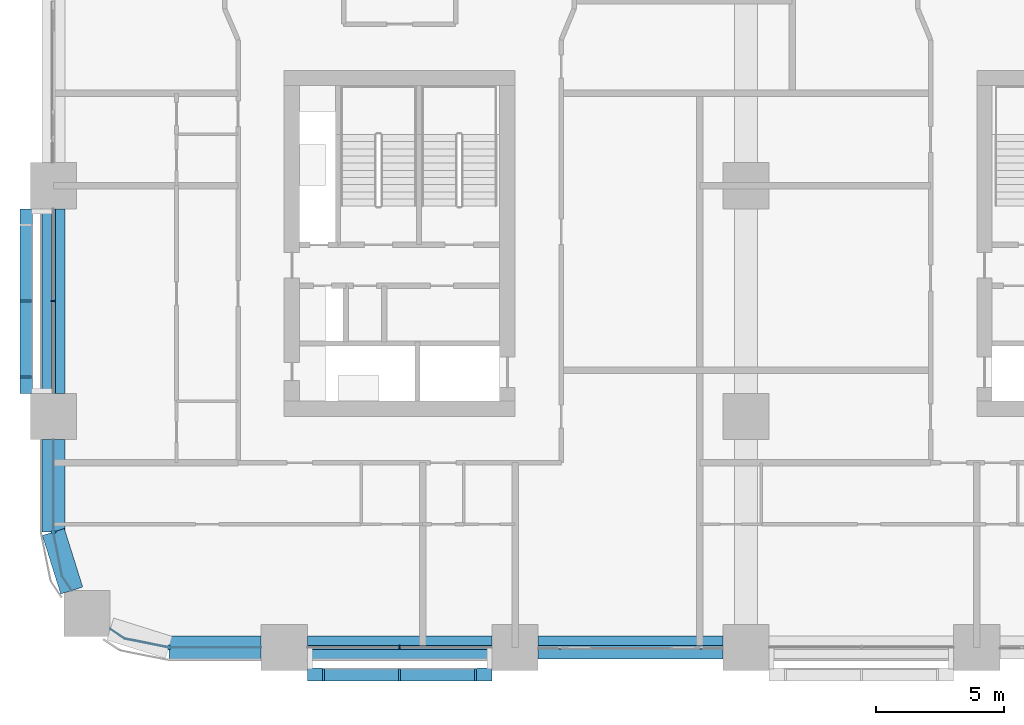
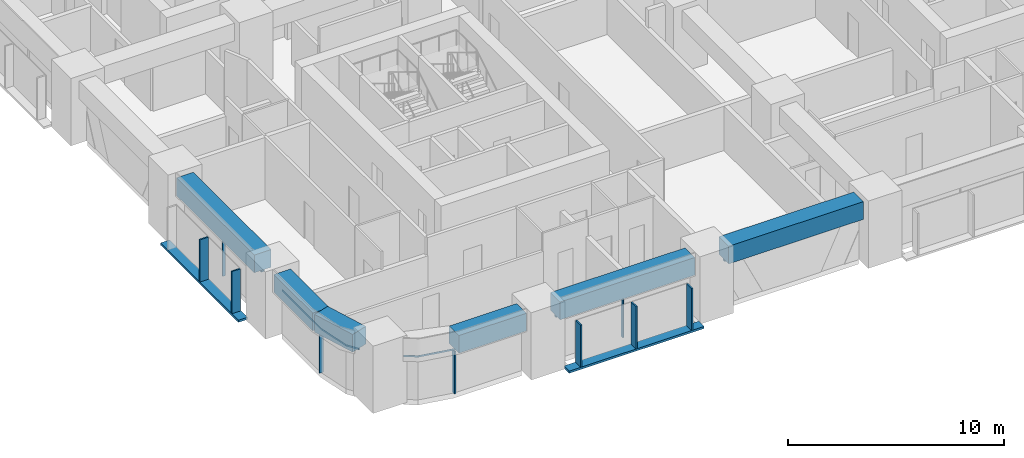
# One storey, part 2 of 23: 14 members, 8 beams, 5 elements without a shape of their own.
"""IFC4 building model written with IfcOpenShell, lengths in metres."""

from ifc_helpers import new_model, si_unit, direction, frame, origin, origin_2d, place, context, subcontext, project, spatial, polyline, rectangle, outline, extrude, material, material_profile, profile_set, type_object, element, aggregate, save


model = new_model("IFC4")

# Units and contexts
model_context = context("Model", 3, precision=1e-05, world=origin(), true_north=direction((0.0, 1.0)))
body_context = subcontext(model_context, "Body", "Model", "MODEL_VIEW")
ifc_project = project(units=[si_unit("LENGTHUNIT", "METRE"), si_unit("AREAUNIT", "SQUARE_METRE"), si_unit("VOLUMEUNIT", "CUBIC_METRE"), si_unit("PLANEANGLEUNIT", "RADIAN"), si_unit("MASSUNIT", "GRAM", prefix="KILO")], contexts=[model_context])

# Site, building, storey
site_placement = place(None, origin())
site = spatial("IfcSite", under=ifc_project, at=site_placement, CompositionType="ELEMENT")
building_placement = place(site_placement, origin())
building = spatial("IfcBuilding", under=site, at=building_placement, Name="Tessera Arch", CompositionType="ELEMENT")
storey_placement = place(building_placement, frame((0.0, 0.0, 57.60009765625)))
storey = spatial("IfcBuildingStorey", under=building, at=storey_placement, Name="L12", CompositionType="ELEMENT", Elevation=57.60009765625)

# Curtain wall, member
ifc_material_1 = material(Name="CW1 curtain wall")
curtain_wall_type_1 = type_object("IfcCurtainWallType", Name="CW1 curtain wall", PredefinedType="NOTDEFINED", material=ifc_material_1)
curtain_wall_1_placement = place(storey_placement, origin())
curtain_wall_1 = element("IfcCurtainWall", 1, at=curtain_wall_1_placement, inside=storey, type_object=curtain_wall_type_1, Name="CW1 curtain wall S0.0/0 L12", PredefinedType="NOTDEFINED")
ifc_material_2 = material(Name="Anodised aluminium pale metal", Category="aluminium")
ifc_material_profile_1 = material_profile(ifc_material_2, rectangle(XDim=0.159912109375, YDim=0.06005859375, at=origin_2d()), Name="AL 60x160")
ifc_profile_set_1 = profile_set([ifc_material_profile_1], Name="Anodised aluminium pale metal")
member_type_1 = type_object("IfcMemberType", Name="CW1 mullion", PredefinedType="MULLION", material=ifc_profile_set_1)
member_1_placement = place(storey_placement, frame((13.5, 0.0, 0.0), z_axis=(0.0, 0.0, 1.0), x_axis=(0.0, 1.0, 0.0)))
member_1 = element("IfcMember", 2, at=member_1_placement, type_object=member_type_1, Name="CW1 mullion S0.0/0 1", PredefinedType="MULLION", context=body_context, shape_type="SweptSolid", body=[
    extrude(rectangle(XDim=0.159912109375, YDim=0.06005859375, at=origin_2d()), origin(), (0.0, 0.0, 1.0), 2.39990234375),
])

curtain_wall_2_placement = place(storey_placement, origin())
curtain_wall_2 = element("IfcCurtainWall", 3, at=curtain_wall_2_placement, inside=storey, type_object=curtain_wall_type_1, Name="CW1 curtain wall W0.0/4 L12", PredefinedType="NOTDEFINED")
member_2_placement = place(storey_placement, frame((0.0, 13.5, 0.0), z_axis=(0.0, 0.0, 1.0), x_axis=(1.0, 0.0, 0.0)))
member_2 = element("IfcMember", 4, at=member_2_placement, type_object=member_type_1, Name="CW1 mullion W0.0/4 1", PredefinedType="MULLION", context=body_context, shape_type="SweptSolid", body=[
    extrude(rectangle(XDim=0.159912109375, YDim=0.06005859375, at=origin_2d()), origin(), (0.0, 0.0, 1.0), 2.39990234375),
])

# Member
ifc_material_3 = material(Name="Anodised aluminium pale metal", Category="aluminium")
ifc_material_profile_2 = material_profile(ifc_material_3, rectangle(XDim=0.159912109375, YDim=0.10009765625, at=origin_2d()), Name="AL 160x100")
ifc_profile_set_2 = profile_set([ifc_material_profile_2], Name="Anodised aluminium pale metal")
member_type_2 = type_object("IfcMemberType", Name="CW1 transom", PredefinedType="USERDEFINED", material=ifc_profile_set_2)
member_3_placement = place(storey_placement, frame((9.89990234375, 0.0, 2.449951171875), z_axis=(1.0, 0.0, 0.0), x_axis=(0.0, 1.0, 0.0)))
member_3 = element("IfcMember", 5, at=member_3_placement, type_object=member_type_2, Name="CW1 transom S0.0/0 1.1", ObjectType="TRANSOM", PredefinedType="USERDEFINED", context=body_context, shape_type="SweptSolid", body=[
    extrude(rectangle(XDim=0.159912109375, YDim=0.10009765625, at=origin_2d()), origin(), (0.0, 0.0, 1.0), 7.2001953125),
])

aggregate(curtain_wall_1, [member_1, member_3])

member_4_placement = place(storey_placement, frame((0.0, 17.10009765625, 2.449951171875), z_axis=(0.0, -1.0, 0.0), x_axis=(1.0, 0.0, 0.0)))
member_4 = element("IfcMember", 6, at=member_4_placement, type_object=member_type_2, Name="CW1 transom W0.0/4 1.1", ObjectType="TRANSOM", PredefinedType="USERDEFINED", context=body_context, shape_type="SweptSolid", body=[
    extrude(rectangle(XDim=0.159912109375, YDim=0.10009765625, at=origin_2d()), origin(), (0.0, 0.0, 1.0), 7.2001953125),
])

aggregate(curtain_wall_2, [member_2, member_4])

# Curtain wall, member
ifc_material_4 = material(Name="CW2 curtain wall")
curtain_wall_type_2 = type_object("IfcCurtainWallType", Name="CW2 curtain wall", PredefinedType="NOTDEFINED", material=ifc_material_4)
curtain_wall_3_placement = place(storey_placement, origin())
curtain_wall_3 = element("IfcCurtainWall", 7, at=curtain_wall_3_placement, inside=storey, type_object=curtain_wall_type_2, Name="CW2 curtain wall W0.0/5 L12", PredefinedType="NOTDEFINED")
ifc_material_5 = material(Name="Anodised aluminium pale metal", Category="aluminium")
ifc_material_profile_3 = material_profile(ifc_material_5, rectangle(XDim=0.199951171875, YDim=0.080078125, at=origin_2d()), Name="AL 80x200")
ifc_profile_set_3 = profile_set([ifc_material_profile_3], Name="Anodised aluminium pale metal")
member_type_3 = type_object("IfcMemberType", Name="CW2 mullion", PredefinedType="MULLION", material=ifc_profile_set_3)
member_5_placement = place(storey_placement, frame((0.0, 4.5, 0.0), z_axis=(0.0, 0.0, 1.0), x_axis=(1.0, 0.0, 0.0)))
member_5 = element("IfcMember", 8, at=member_5_placement, type_object=member_type_3, Name="CW2 mullion W0.0/5 1", PredefinedType="MULLION", context=body_context, shape_type="SweptSolid", body=[
    extrude(rectangle(XDim=0.199951171875, YDim=0.080078125, at=origin_2d()), origin(), (0.0, 0.0, 1.0), 2.39990234375),
])

curtain_wall_4_placement = place(storey_placement, origin())
curtain_wall_4 = element("IfcCurtainWall", 9, at=curtain_wall_4_placement, inside=storey, type_object=curtain_wall_type_2, Name="CW2 curtain wall S0.0/5 L12", PredefinedType="NOTDEFINED")
member_6_placement = place(storey_placement, frame((4.5, 0.0, 0.0), z_axis=(0.0, 0.0, 1.0), x_axis=(0.0, 1.0, 0.0)))
member_6 = element("IfcMember", 10, at=member_6_placement, type_object=member_type_3, Name="CW2 mullion S0.0/5 1", PredefinedType="MULLION", context=body_context, shape_type="SweptSolid", body=[
    extrude(rectangle(XDim=0.199951171875, YDim=0.080078125, at=origin_2d()), origin(), (0.0, 0.0, 1.0), 2.39990234375),
])

# Member
ifc_material_6 = material(Name="Anodised aluminium pale metal", Category="aluminium")
ifc_material_profile_4 = material_profile(ifc_material_6, rectangle(XDim=0.199951171875, YDim=0.10009765625, at=origin_2d()), Name="AL 200x100")
ifc_profile_set_4 = profile_set([ifc_material_profile_4], Name="Anodised aluminium pale metal")
member_type_4 = type_object("IfcMemberType", Name="CW2 transom", PredefinedType="USERDEFINED", material=ifc_profile_set_4)
member_7_placement = place(storey_placement, frame((0.0, 0.0, 2.39990234375)))
member_7 = element("IfcMember", 11, at=member_7_placement, type_object=member_type_4, Name="CW2 transom W0.0/5 1", ObjectType="TRANSOM", PredefinedType="USERDEFINED", context=body_context, shape_type="SweptSolid", body=[
    extrude(outline(polyline([(0.010009765625, 4.5009765625), (0.010009765625, 8.10009765625), (-0.010009765625, 8.10009765625), (-0.010009765625, 4.4990234375), (0.3330078125, 2.77392578125), (0.70849609375, 2.21240234375), (0.72509765625, 2.2236328125), (0.351806640625, 2.78173828125), (0.010009765625, 4.5009765625)])), origin(), (0.0, 0.0, 1.0), 0.10009765625),
])

aggregate(curtain_wall_3, [member_5, member_7])

member_8_placement = place(storey_placement, frame((0.0, 0.0, 2.39990234375)))
member_8 = element("IfcMember", 12, at=member_8_placement, type_object=member_type_4, Name="CW2 transom S0.0/5 1", ObjectType="TRANSOM", PredefinedType="USERDEFINED", context=body_context, shape_type="SweptSolid", body=[
    extrude(outline(polyline([(2.78173828125, 0.351806640625), (2.2236328125, 0.72509765625), (2.21240234375, 0.70849609375), (2.77392578125, 0.3330078125), (4.4990234375, -0.010009765625), (8.10009765625, -0.010009765625), (8.10009765625, 0.010009765625), (4.5009765625, 0.010009765625), (2.78173828125, 0.351806640625)])), origin(), (0.0, 0.0, 1.0), 0.10009765625),
])

aggregate(curtain_wall_4, [member_6, member_8])

# Curtain wall, member
ifc_material_7 = material(Name="CW3 curtain wall")
curtain_wall_type_3 = type_object("IfcCurtainWallType", Name="CW3 curtain wall", PredefinedType="NOTDEFINED", material=ifc_material_7)
curtain_wall_5_placement = place(storey_placement, origin())
curtain_wall_5 = element("IfcCurtainWall", 13, at=curtain_wall_5_placement, inside=storey, type_object=curtain_wall_type_3, Name="CW3 curtain wall S0.0/1 L12", PredefinedType="NOTDEFINED")
ifc_material_8 = material(Name="Anodised aluminium pale metal", Category="aluminium")
ifc_material_profile_5 = material_profile(ifc_material_8, rectangle(XDim=0.139892578125, YDim=0.10009765625, at=origin_2d()), Name="AL 140x100")
ifc_profile_set_5 = profile_set([ifc_material_profile_5], Name="Anodised aluminium pale metal")
member_type_5 = type_object("IfcMemberType", Name="CW3 transom", PredefinedType="USERDEFINED", material=ifc_profile_set_5)
member_9_placement = place(storey_placement, frame((18.89990234375, 0.0, 2.449951171875), z_axis=(1.0, 0.0, 0.0), x_axis=(0.0, 1.0, 0.0)))
member_9 = element("IfcMember", 14, at=member_9_placement, type_object=member_type_5, Name="CW3 transom S0.0/1 1.1", ObjectType="TRANSOM", PredefinedType="USERDEFINED", context=body_context, shape_type="SweptSolid", body=[
    extrude(rectangle(XDim=0.139892578125, YDim=0.10009765625, at=origin_2d()), origin(), (0.0, 0.0, 1.0), 7.2001953125),
])
aggregate(curtain_wall_5, [member_9])

# Members
ifc_material_9 = material(Name="Anodised aluminium pale metal", Category="aluminium")
ifc_material_profile_6 = material_profile(ifc_material_9, rectangle(XDim=0.449951171875, YDim=0.080078125, at=origin_2d()), Name="AL 80x450")
ifc_profile_set_6 = profile_set([ifc_material_profile_6], Name="Anodised aluminium pale metal")
member_type_6 = type_object("IfcMemberType", Name="Mashrabiya fin", PredefinedType="USERDEFINED", material=ifc_profile_set_6)
for number, where, z_axis, x_axis, name in (
    (15, (10.5400390625, -1.074951171875, 0.119873046875), (0.0, 0.0, 1.0), (0.0, -1.0, 0.0), "FIN mashrabiya S0.0/0 1"),
    (16, (13.5, -1.074951171875, 0.119873046875), (0.0, 0.0, 1.0), (0.0, -1.0, 0.0), "FIN mashrabiya S0.0/0 2"),
    (17, (16.4599609375, -1.074951171875, 0.119873046875), (0.0, 0.0, 1.0), (0.0, -1.0, 0.0), "FIN mashrabiya S0.0/0 3"),
    (18, (-1.074951171875, 13.5, 0.119873046875), (0.0, 0.0, 1.0), (-1.0, 0.0, 0.0), "FIN mashrabiya W0.0/4 2"),
    (19, (-1.074951171875, 10.5400390625, 0.119873046875), (0.0, 0.0, 1.0), (-1.0, 0.0, 0.0), "FIN mashrabiya W0.0/4 3"),
):
    element("IfcMember", number, at=place(storey_placement, frame(where, z_axis=z_axis, x_axis=x_axis)), inside=storey, type_object=member_type_6, Name=name, ObjectType="FIN", PredefinedType="USERDEFINED", context=body_context, shape_type="SweptSolid", body=[
        extrude(rectangle(XDim=0.449951171875, YDim=0.080078125, at=origin_2d()), origin(), (0.0, 0.0, 1.0), 2.380126953125),
    ])

# Beams
ifc_material_10 = material(Name="Concrete C80/95", Category="concrete")
ifc_material_profile_7 = material_profile(ifc_material_10, rectangle(XDim=0.89990234375, YDim=1.0, at=origin_2d()), Name="RC spandrel beam 900 x 1000 Concrete C80/95")
ifc_profile_set_7 = profile_set([ifc_material_profile_7], Name="Concrete C80/95")
beam_type_1 = type_object("IfcBeamType", Name="RC spandrel beam 900 x 1000 Concrete C80/95", PredefinedType="BEAM", material=ifc_profile_set_7)
for number, where, z_axis, x_axis, name in (
    (20, (9.89990234375, 0.0, 3.0), (1.0, 0.0, 0.0), (0.0, 1.0, 0.0), "Spandrel beam L12 S0.0/0"),
    (21, (18.89990234375, 0.0, 3.0), (1.0, 0.0, 0.0), (0.0, 1.0, 0.0), "Spandrel beam L12 S0.0/1"),
    (22, (0.0, 17.10009765625, 3.0), (0.0, -1.0, 0.0), (1.0, 0.0, 0.0), "Spandrel beam L12 W0.0/4"),
):
    element("IfcBeam", number, at=place(storey_placement, frame(where, z_axis=z_axis, x_axis=x_axis)), inside=storey, type_object=beam_type_1, Name=name, PredefinedType="BEAM", context=body_context, shape_type="SweptSolid", body=[
        extrude(rectangle(XDim=0.89990234375, YDim=1.0, at=origin_2d()), origin(), (0.0, 0.0, 1.0), 7.2001953125),
    ])
beam_1_placement = place(storey_placement, frame((0.0, 8.10009765625, 3.0), z_axis=(0.0, -1.0, 0.0), x_axis=(1.0, 0.0, 0.0)))
element("IfcBeam", 23, at=beam_1_placement, inside=storey, type_object=beam_type_1, Name="Spandrel beam L12 W0.0/5.1", PredefinedType="BEAM", context=body_context, shape_type="SweptSolid", body=[
    extrude(rectangle(XDim=0.89990234375, YDim=1.0, at=origin_2d()), origin(), (0.0, 0.0, 1.0), 3.60009765625),
])
beam_2_placement = place(storey_placement, frame((0.0, 4.5, 3.0), z_axis=(0.299675309057, -0.954041251279, 0.0), x_axis=(0.954041251279, 0.299675309057, 0.0)))
element("IfcBeam", 24, at=beam_2_placement, inside=storey, type_object=beam_type_1, Name="Spandrel beam L12 W0.0/5.2", PredefinedType="BEAM", context=body_context, shape_type="SweptSolid", body=[
    extrude(rectangle(XDim=0.89990234375, YDim=1.0, at=origin_2d()), origin(), (0.0, 0.0, 1.0), 2.391845703125),
])
beam_3_placement = place(storey_placement, frame((4.5, 0.0, 3.0), z_axis=(1.0, 0.0, 0.0), x_axis=(0.0, 1.0, 0.0)))
element("IfcBeam", 25, at=beam_3_placement, inside=storey, type_object=beam_type_1, Name="Spandrel beam L12 S0.0/5.2", PredefinedType="BEAM", context=body_context, shape_type="SweptSolid", body=[
    extrude(rectangle(XDim=0.89990234375, YDim=1.0, at=origin_2d()), origin(), (0.0, 0.0, 1.0), 3.60009765625),
])
ifc_material_11 = material(Name="Aluminium alloy 6063-T6", Category="aluminium")
ifc_material_profile_8 = material_profile(ifc_material_11, rectangle(XDim=0.489990234375, YDim=0.1201171875, at=origin_2d()), Name="AL 490x120")
ifc_profile_set_8 = profile_set([ifc_material_profile_8], Name="Aluminium alloy 6063-T6")
beam_type_2 = type_object("IfcBeamType", Name="Screen sill beam", PredefinedType="BEAM", material=ifc_profile_set_8)
for number, where, z_axis, x_axis, name in (
    (26, (9.89990234375, -1.054931640625, 0.059814453125), (1.0, 0.0, 0.0), (0.0, 1.0, 0.0), "Screen sill beam"),
    (27, (-1.054931640625, 17.10009765625, 0.059814453125), (0.0, -1.0, 0.0), (1.0, 0.0, 0.0), "Screen sill beam"),
):
    element("IfcBeam", number, at=place(storey_placement, frame(where, z_axis=z_axis, x_axis=x_axis)), inside=storey, type_object=beam_type_2, Name=name, PredefinedType="BEAM", context=body_context, shape_type="SweptSolid", body=[
        extrude(rectangle(XDim=0.489990234375, YDim=0.1201171875, at=origin_2d()), origin(), (0.0, 0.0, 1.0), 7.2001953125),
    ])

save(model, "model.ifc")
